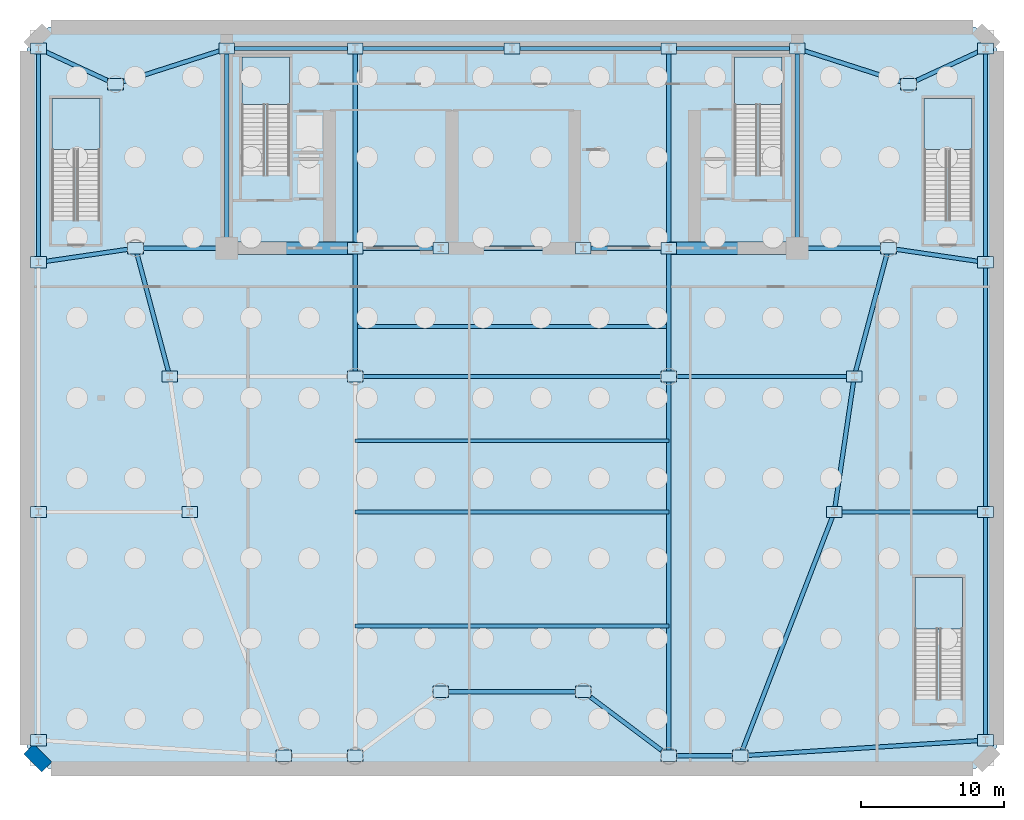
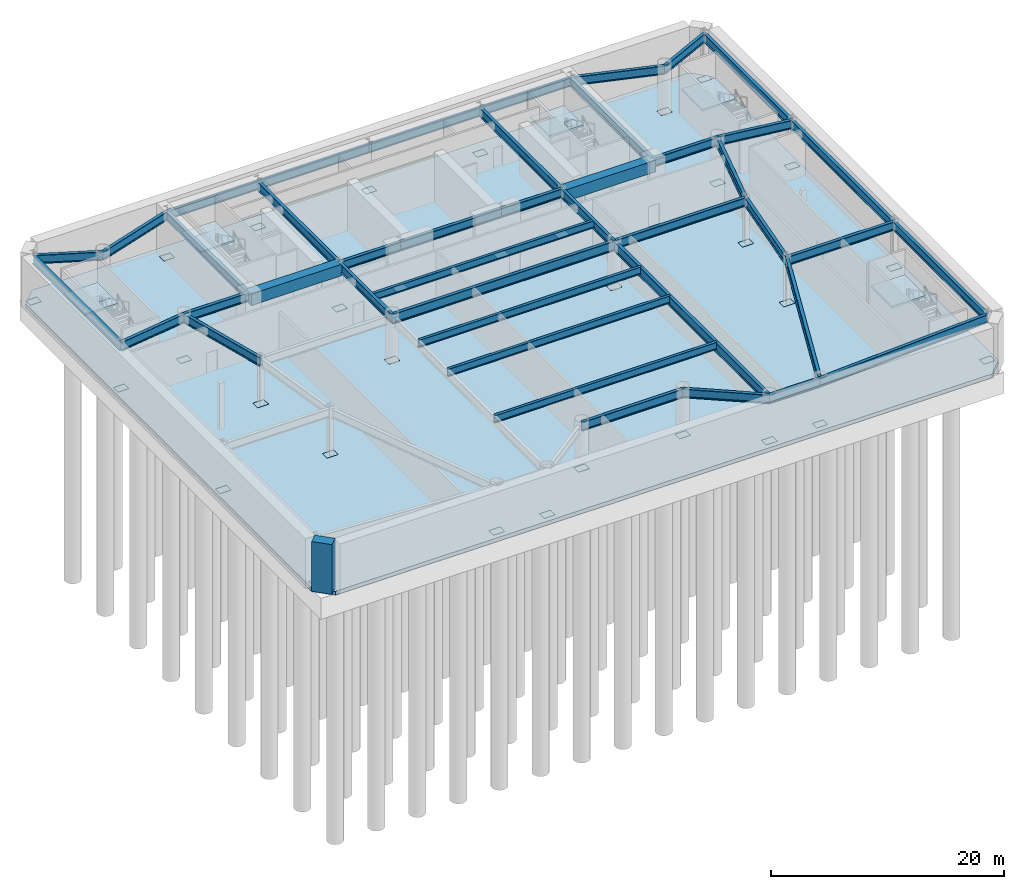
# One storey, part 2 of 11: 43 beams, 33 plates, 6 slabs, 1 wall, 5 elements without a shape of their own.
"""IFC4 building model written with IfcOpenShell, lengths in metres."""

from ifc_helpers import new_model, si_unit, direction, frame, frame_2d, origin, origin_2d, place, context, subcontext, project, spatial, polyline, rectangle, i_section, outline, extrude, source, transform, mapped, material, layer, layer_set, material_profile, profile_set, type_object, element, aggregate, save


model = new_model("IFC4")

# Units and contexts
model_context = context("Model", 3, precision=1e-05, world=origin(), true_north=direction((0.0, 1.0)))
body_context = subcontext(model_context, "Body", "Model", "MODEL_VIEW")
ifc_project = project(units=[si_unit("LENGTHUNIT", "METRE"), si_unit("AREAUNIT", "SQUARE_METRE"), si_unit("VOLUMEUNIT", "CUBIC_METRE"), si_unit("PLANEANGLEUNIT", "RADIAN"), si_unit("MASSUNIT", "GRAM", prefix="KILO")], contexts=[model_context])

# Site, building, storey
site_placement = place(None, origin())
site = spatial("IfcSite", under=ifc_project, at=site_placement, CompositionType="ELEMENT")
building_placement = place(site_placement, origin())
building = spatial("IfcBuilding", under=site, at=building_placement, Name="Vaeldorn Concourse Tower", CompositionType="ELEMENT")
storey_placement = place(building_placement, frame((0.0, 0.0, -15.60009765625)))
storey = spatial("IfcBuildingStorey", under=building, at=storey_placement, Name="B03", CompositionType="ELEMENT", Elevation=-15.60009765625)

# Beams
ifc_material_1 = material(Name="Concrete C60/75", Category="concrete")
ifc_material_profile_1 = material_profile(ifc_material_1, rectangle(XDim=0.89990234375, YDim=1.199951171875, at=origin_2d()), Name="RC 900x1200")
ifc_profile_set_1 = profile_set([ifc_material_profile_1], Name="Concrete C60/75")
beam_type_1 = type_object("IfcBeamType", Name="BM-CB-RC900", PredefinedType="BEAM", material=ifc_profile_set_1)
shared_shape_1 = source(origin(), body_context, "Body", "SweptSolid", [
    extrude(rectangle(XDim=0.89990234375, YDim=1.199951171875, at=origin_2d()), origin(), (0.0, 0.0, 1.0), 9.0),
])
for number, where, z_axis, x_axis, name in (
    (1, (14.0, 36.5, 4.280029296875), (1.0, 0.0, 0.0), (0.0, 1.0, 0.0), "Core Coupling Beam B03-1"),
    (2, (45.0, 36.5, 4.280029296875), (1.0, 0.0, 0.0), (0.0, 1.0, 0.0), "Core Coupling Beam B03-2"),
):
    element("IfcBeam", number, at=place(storey_placement, frame(where, z_axis=z_axis, x_axis=x_axis)), inside=storey, type_object=beam_type_1, Name=name, PredefinedType="BEAM", context=body_context, shape_type="MappedRepresentation", body=[
        mapped(shared_shape_1, transform((0.0, 0.0, 0.0), scale=1.0)),
    ])
ifc_material_2 = material(Name="Steel S355", Category="steel")
ifc_material_profile_2 = material_profile(ifc_material_2, i_section(OverallWidth=0.302001953125, OverallDepth=0.909912109375, WebThickness=0.02099609375, FlangeThickness=0.0400390625, FilletRadius=0.030029296875, at=origin_2d()), Name="HEM 900")
ifc_profile_set_2 = profile_set([ifc_material_profile_2], Name="Steel S355")
beam_type_2 = type_object("IfcBeamType", Name="BM-PG-HEM900", PredefinedType="BEAM", material=ifc_profile_set_2)
shared_shape_2 = source(origin(), body_context, "Body", "SweptSolid", [
    extrude(i_section(OverallWidth=0.302001953125, OverallDepth=0.909912109375, WebThickness=0.02099609375, FlangeThickness=0.0400390625, FilletRadius=0.030029296875, at=origin_2d()), origin(), (0.0, 0.0, 1.0), 6.0),
])
for number, where, z_axis, x_axis, name in (
    (3, (23.0, 36.5, 4.425048828125), (1.0, 0.0, 0.0), (0.0, 1.0, 0.0), "Beam BM-B03-C-FC2-C-FC3"),
    (4, (39.0, 36.5, 4.425048828125), (1.0, 0.0, 0.0), (0.0, 1.0, 0.0), "Beam BM-B03-C-FC4-C-FC5"),
):
    element("IfcBeam", number, at=place(storey_placement, frame(where, z_axis=z_axis, x_axis=x_axis)), inside=storey, type_object=beam_type_2, Name=name, PredefinedType="BEAM", context=body_context, shape_type="MappedRepresentation", body=[
        mapped(shared_shape_2, transform((0.0, 0.0, 0.0), scale=1.0)),
    ])
shared_shape_3 = source(origin(), body_context, "Body", "SweptSolid", [
    extrude(i_section(OverallWidth=0.302001953125, OverallDepth=0.909912109375, WebThickness=0.02099609375, FlangeThickness=0.0400390625, FilletRadius=0.030029296875, at=origin_2d()), origin(), (0.0, 0.0, 1.0), 10.0),
])
for number, where, z_axis, x_axis, name in (
    (5, (29.0, 36.5, 4.425048828125), (1.0, 0.0, 0.0), (0.0, 1.0, 0.0), "Beam BM-B03-C-FC3-C-FC4"),
    (6, (29.0, 5.39990234375, 4.425048828125), (1.0, 0.0, 0.0), (0.0, 1.0, 0.0), "Beam BM-B03-C-SM3-C-SM4"),
):
    element("IfcBeam", number, at=place(storey_placement, frame(where, z_axis=z_axis, x_axis=x_axis)), inside=storey, type_object=beam_type_2, Name=name, PredefinedType="BEAM", context=body_context, shape_type="MappedRepresentation", body=[
        mapped(shared_shape_3, transform((0.0, 0.0, 0.0), scale=1.0)),
    ])
shared_shape_4 = source(origin(), body_context, "Body", "SweptSolid", [
    extrude(i_section(OverallWidth=0.302001953125, OverallDepth=0.909912109375, WebThickness=0.02099609375, FlangeThickness=0.0400390625, FilletRadius=0.030029296875, at=origin_2d()), origin(), (0.0, 0.0, 1.0), 9.0),
])
for number, where, z_axis, x_axis, name in (
    (7, (14.0, 50.5, 4.425048828125), (1.0, 0.0, 0.0), (0.0, 1.0, 0.0), "Beam BM-B03-C-HC1-C-HC2"),
    (8, (45.0, 50.5, 4.425048828125), (1.0, 0.0, 0.0), (0.0, 1.0, 0.0), "Beam BM-B03-C-HC4-C-HC5"),
    (9, (23.0, 27.5, 4.425048828125), (0.0, 1.0, 0.0), (-1.0, 0.0, 0.0), "Beam BM-B03-C-TW1-C-FC2"),
    (10, (45.0, 27.5, 4.425048828125), (0.0, 1.0, 0.0), (-1.0, 0.0, 0.0), "Beam BM-B03-C-TW4-C-FC5"),
):
    element("IfcBeam", number, at=place(storey_placement, frame(where, z_axis=z_axis, x_axis=x_axis)), inside=storey, type_object=beam_type_2, Name=name, PredefinedType="BEAM", context=body_context, shape_type="MappedRepresentation", body=[
        mapped(shared_shape_4, transform((0.0, 0.0, 0.0), scale=1.0)),
    ])
shared_shape_5 = source(origin(), body_context, "Body", "SweptSolid", [
    extrude(i_section(OverallWidth=0.302001953125, OverallDepth=0.909912109375, WebThickness=0.02099609375, FlangeThickness=0.0400390625, FilletRadius=0.030029296875, at=origin_2d()), origin(), (0.0, 0.0, 1.0), 11.0),
])
for number, where, z_axis, x_axis, name in (
    (11, (23.0, 50.5, 4.425048828125), (1.0, 0.0, 0.0), (0.0, 1.0, 0.0), "Beam BM-B03-C-HC2-C-HC3"),
    (12, (34.0, 50.5, 4.425048828125), (1.0, 0.0, 0.0), (0.0, 1.0, 0.0), "Beam BM-B03-C-HC3-C-HC4"),
):
    element("IfcBeam", number, at=place(storey_placement, frame(where, z_axis=z_axis, x_axis=x_axis)), inside=storey, type_object=beam_type_2, Name=name, PredefinedType="BEAM", context=body_context, shape_type="MappedRepresentation", body=[
        mapped(shared_shape_5, transform((0.0, 0.0, 0.0), scale=1.0)),
    ])
shared_shape_6 = source(origin(), body_context, "Body", "SweptSolid", [
    extrude(i_section(OverallWidth=0.302001953125, OverallDepth=0.909912109375, WebThickness=0.02099609375, FlangeThickness=0.0400390625, FilletRadius=0.030029296875, at=origin_2d()), origin(), (0.0, 0.0, 1.0), 14.0),
])
for number, where, z_axis, x_axis, name in (
    (13, (14.0, 36.5, 4.425048828125), (0.0, 1.0, 0.0), (-1.0, 0.0, 0.0), "Beam BM-B03-C-FC1-C-HC1"),
    (14, (23.0, 36.5, 4.425048828125), (0.0, 1.0, 0.0), (-1.0, 0.0, 0.0), "Beam BM-B03-C-FC2-C-HC2"),
    (15, (45.0, 36.5, 4.425048828125), (0.0, 1.0, 0.0), (-1.0, 0.0, 0.0), "Beam BM-B03-C-FC5-C-HC4"),
    (16, (54.0, 36.5, 4.425048828125), (0.0, 1.0, 0.0), (-1.0, 0.0, 0.0), "Beam BM-B03-C-FC6-C-HC5"),
):
    element("IfcBeam", number, at=place(storey_placement, frame(where, z_axis=z_axis, x_axis=x_axis)), inside=storey, type_object=beam_type_2, Name=name, PredefinedType="BEAM", context=body_context, shape_type="MappedRepresentation", body=[
        mapped(shared_shape_6, transform((0.0, 0.0, 0.0), scale=1.0)),
    ])
shared_shape_7 = source(origin(), body_context, "Body", "SweptSolid", [
    extrude(i_section(OverallWidth=0.302001953125, OverallDepth=0.909912109375, WebThickness=0.02099609375, FlangeThickness=0.0400390625, FilletRadius=0.030029296875, at=origin_2d()), origin(), (0.0, 0.0, 1.0), 16.0),
])
beam_1_placement = place(storey_placement, frame((67.199951171875, 2.0, 4.425048828125), z_axis=(0.0, 1.0, 0.0), x_axis=(-1.0, 0.0, 0.0)))
element("IfcBeam", 17, at=beam_1_placement, inside=storey, type_object=beam_type_2, Name="Beam BM-B03-C-PE1-C-PE2", PredefinedType="BEAM", context=body_context, shape_type="MappedRepresentation", body=[
    mapped(shared_shape_7, transform((0.0, 0.0, 0.0), scale=1.0)),
])
shared_shape_8 = source(origin(), body_context, "Body", "SweptSolid", [
    extrude(i_section(OverallWidth=0.302001953125, OverallDepth=0.909912109375, WebThickness=0.02099609375, FlangeThickness=0.0400390625, FilletRadius=0.030029296875, at=origin_2d()), origin(), (0.0, 0.0, 1.0), 17.5),
])
beam_2_placement = place(storey_placement, frame((67.199951171875, 18.0, 4.425048828125), z_axis=(0.0, 1.0, 0.0), x_axis=(-1.0, 0.0, 0.0)))
element("IfcBeam", 18, at=beam_2_placement, inside=storey, type_object=beam_type_2, Name="Beam BM-B03-C-PE2-C-PE3", PredefinedType="BEAM", context=body_context, shape_type="MappedRepresentation", body=[
    mapped(shared_shape_8, transform((0.0, 0.0, 0.0), scale=1.0)),
])
shared_shape_9 = source(origin(), body_context, "Body", "SweptSolid", [
    extrude(i_section(OverallWidth=0.302001953125, OverallDepth=0.909912109375, WebThickness=0.02099609375, FlangeThickness=0.0400390625, FilletRadius=0.030029296875, at=origin_2d()), origin(), (0.0, 0.0, 1.0), 15.0),
])
for number, where, z_axis, x_axis, name in (
    (19, (0.800048828125, 35.5, 4.425048828125), (0.0, 1.0, 0.0), (-1.0, 0.0, 0.0), "Beam BM-B03-C-PW3-C-PW4"),
    (20, (67.199951171875, 35.5, 4.425048828125), (0.0, 1.0, 0.0), (-1.0, 0.0, 0.0), "Beam BM-B03-C-PE3-C-PE4"),
):
    element("IfcBeam", number, at=place(storey_placement, frame(where, z_axis=z_axis, x_axis=x_axis)), inside=storey, type_object=beam_type_2, Name=name, PredefinedType="BEAM", context=body_context, shape_type="MappedRepresentation", body=[
        mapped(shared_shape_9, transform((0.0, 0.0, 0.0), scale=1.0)),
    ])
shared_shape_10 = source(origin(), body_context, "Body", "SweptSolid", [
    extrude(i_section(OverallWidth=0.302001953125, OverallDepth=0.909912109375, WebThickness=0.02099609375, FlangeThickness=0.0400390625, FilletRadius=0.030029296875, at=origin_2d()), origin(), (0.0, 0.0, 1.0), 5.0),
])
beam_3_placement = place(storey_placement, frame((45.0, 0.89990234375, 4.425048828125), z_axis=(1.0, 0.0, 0.0), x_axis=(0.0, 1.0, 0.0)))
element("IfcBeam", 21, at=beam_3_placement, inside=storey, type_object=beam_type_2, Name="Beam BM-B03-C-SM5-C-SM6", PredefinedType="BEAM", context=body_context, shape_type="MappedRepresentation", body=[
    mapped(shared_shape_10, transform((0.0, 0.0, 0.0), scale=1.0)),
])
shared_shape_11 = source(origin(), body_context, "Body", "SweptSolid", [
    extrude(i_section(OverallWidth=0.302001953125, OverallDepth=0.909912109375, WebThickness=0.02099609375, FlangeThickness=0.0400390625, FilletRadius=0.030029296875, at=origin_2d()), origin(), (0.0, 0.0, 1.0), 7.5),
])
beam_4_placement = place(storey_placement, frame((39.0, 5.39990234375, 4.425048828125), z_axis=(0.8, -0.6, 0.0), x_axis=(0.6, 0.8, 0.0)))
element("IfcBeam", 22, at=beam_4_placement, inside=storey, type_object=beam_type_2, Name="Beam BM-B03-C-SM4-C-SM5", PredefinedType="BEAM", context=body_context, shape_type="MappedRepresentation", body=[
    mapped(shared_shape_11, transform((0.0, 0.0, 0.0), scale=1.0)),
])
shared_shape_12 = source(origin(), body_context, "Body", "SweptSolid", [
    extrude(i_section(OverallWidth=0.302001953125, OverallDepth=0.909912109375, WebThickness=0.02099609375, FlangeThickness=0.0400390625, FilletRadius=0.030029296875, at=origin_2d()), origin(), (0.0, 0.0, 1.0), 17.235107421875),
])
beam_5_placement = place(storey_placement, frame((50.0, 0.89990234375, 4.425048828125), z_axis=(0.997960855094, 0.063828925254, 0.0), x_axis=(-0.063828925254, 0.997960855094, 0.0)))
element("IfcBeam", 23, at=beam_5_placement, inside=storey, type_object=beam_type_2, Name="Beam BM-B03-C-SM6-C-PE1", PredefinedType="BEAM", context=body_context, shape_type="MappedRepresentation", body=[
    mapped(shared_shape_12, transform((0.0, 0.0, 0.0), scale=1.0)),
])
shared_shape_13 = source(origin(), body_context, "Body", "SweptSolid", [
    extrude(i_section(OverallWidth=0.302001953125, OverallDepth=0.909912109375, WebThickness=0.02099609375, FlangeThickness=0.0400390625, FilletRadius=0.030029296875, at=origin_2d()), origin(), (0.0, 0.0, 1.0), 6.873291015625),
])
for number, where, z_axis, x_axis, name in (
    (24, (0.800048828125, 35.5, 4.425048828125), (0.989359285749, 0.145492967882, 0.0), (-0.145492967882, 0.989359285749, 0.0), "Beam BM-B03-C-PW3-C-NW2"),
    (25, (60.39990234375, 36.5, 4.425048828125), (0.989359285749, -0.145492967882, 0.0), (0.145492967882, 0.989359285749, 0.0), "Beam BM-B03-C-NE2-C-PE3"),
):
    element("IfcBeam", number, at=place(storey_placement, frame(where, z_axis=z_axis, x_axis=x_axis)), inside=storey, type_object=beam_type_2, Name=name, PredefinedType="BEAM", context=body_context, shape_type="MappedRepresentation", body=[
        mapped(shared_shape_13, transform((0.0, 0.0, 0.0), scale=1.0)),
    ])
shared_shape_14 = source(origin(), body_context, "Body", "SweptSolid", [
    extrude(i_section(OverallWidth=0.302001953125, OverallDepth=0.909912109375, WebThickness=0.02099609375, FlangeThickness=0.0400390625, FilletRadius=0.030029296875, at=origin_2d()), origin(), (0.0, 0.0, 1.0), 6.39990234375),
])
for number, where, z_axis, x_axis, name in (
    (26, (7.60009765625, 36.5, 4.425048828125), (1.0, 0.0, 0.0), (0.0, 1.0, 0.0), "Beam BM-B03-C-NW2-C-FC1"),
    (27, (54.0, 36.5, 4.425048828125), (1.0, 0.0, 0.0), (0.0, 1.0, 0.0), "Beam BM-B03-C-FC6-C-NE2"),
):
    element("IfcBeam", number, at=place(storey_placement, frame(where, z_axis=z_axis, x_axis=x_axis)), inside=storey, type_object=beam_type_2, Name=name, PredefinedType="BEAM", context=body_context, shape_type="MappedRepresentation", body=[
        mapped(shared_shape_14, transform((0.0, 0.0, 0.0), scale=1.0)),
    ])
shared_shape_15 = source(origin(), body_context, "Body", "SweptSolid", [
    extrude(i_section(OverallWidth=0.302001953125, OverallDepth=0.909912109375, WebThickness=0.02099609375, FlangeThickness=0.0400390625, FilletRadius=0.030029296875, at=origin_2d()), origin(), (0.0, 0.0, 1.0), 5.950439453125),
])
for number, where, z_axis, x_axis, name in (
    (28, (0.800048828125, 50.5, 4.425048828125), (0.907464010437, -0.420129824888, 0.0), (0.420129824888, 0.907464010437, 0.0), "Beam BM-B03-C-PW4-C-NW1"),
    (29, (61.800048828125, 48.0, 4.425048828125), (0.907464010437, 0.420129824888, 0.0), (-0.420129824888, 0.907464010437, 0.0), "Beam BM-B03-C-NE1-C-PE4"),
):
    element("IfcBeam", number, at=place(storey_placement, frame(where, z_axis=z_axis, x_axis=x_axis)), inside=storey, type_object=beam_type_2, Name=name, PredefinedType="BEAM", context=body_context, shape_type="MappedRepresentation", body=[
        mapped(shared_shape_15, transform((0.0, 0.0, 0.0), scale=1.0)),
    ])
shared_shape_16 = source(origin(), body_context, "Body", "SweptSolid", [
    extrude(i_section(OverallWidth=0.302001953125, OverallDepth=0.909912109375, WebThickness=0.02099609375, FlangeThickness=0.0400390625, FilletRadius=0.030029296875, at=origin_2d()), origin(), (0.0, 0.0, 1.0), 8.19091796875),
])
for number, where, z_axis, x_axis, name in (
    (30, (6.199951171875, 48.0, 4.425048828125), (0.952282843383, 0.305216949396, 0.0), (-0.305216949396, 0.952282843383, 0.0), "Beam BM-B03-C-NW1-C-HC1"),
    (31, (54.0, 50.5, 4.425048828125), (0.952282843383, -0.305216949396, 0.0), (0.305216949396, 0.952282843383, 0.0), "Beam BM-B03-C-HC5-C-NE1"),
):
    element("IfcBeam", number, at=place(storey_placement, frame(where, z_axis=z_axis, x_axis=x_axis)), inside=storey, type_object=beam_type_2, Name=name, PredefinedType="BEAM", context=body_context, shape_type="MappedRepresentation", body=[
        mapped(shared_shape_16, transform((0.0, 0.0, 0.0), scale=1.0)),
    ])
shared_shape_17 = source(origin(), body_context, "Body", "SweptSolid", [
    extrude(i_section(OverallWidth=0.302001953125, OverallDepth=0.909912109375, WebThickness=0.02099609375, FlangeThickness=0.0400390625, FilletRadius=0.030029296875, at=origin_2d()), origin(), (0.0, 0.0, 1.0), 9.314453125),
])
for number, where, z_axis, x_axis, name in (
    (32, (7.60009765625, 36.5, 4.425048828125), (0.257652862255, -0.966237549763, 0.0), (0.966237549763, 0.257652862255, 0.0), "Beam BM-B03-C-NW2-C-FLW1"),
    (33, (60.39990234375, 36.5, 4.425048828125), (-0.257652862255, -0.966237549763, 0.0), (0.966237549763, -0.257652862255, 0.0), "Beam BM-B03-C-NE2-C-FLE1"),
):
    element("IfcBeam", number, at=place(storey_placement, frame(where, z_axis=z_axis, x_axis=x_axis)), inside=storey, type_object=beam_type_2, Name=name, PredefinedType="BEAM", context=body_context, shape_type="MappedRepresentation", body=[
        mapped(shared_shape_17, transform((0.0, 0.0, 0.0), scale=1.0)),
    ])
shared_shape_18 = source(origin(), body_context, "Body", "SweptSolid", [
    extrude(i_section(OverallWidth=0.302001953125, OverallDepth=0.909912109375, WebThickness=0.02099609375, FlangeThickness=0.0400390625, FilletRadius=0.030029296875, at=origin_2d()), origin(), (0.0, 0.0, 1.0), 9.6025390625),
])
beam_6_placement = place(storey_placement, frame((58.0, 27.5, 4.425048828125), z_axis=(-0.145783835977, -0.989316467652, 0.0), x_axis=(0.989316467652, -0.145783835977, 0.0)))
element("IfcBeam", 34, at=beam_6_placement, inside=storey, type_object=beam_type_2, Name="Beam BM-B03-C-FLE1-C-FLE2", PredefinedType="BEAM", context=body_context, shape_type="MappedRepresentation", body=[
    mapped(shared_shape_18, transform((0.0, 0.0, 0.0), scale=1.0)),
])
shared_shape_19 = source(origin(), body_context, "Body", "SweptSolid", [
    extrude(i_section(OverallWidth=0.302001953125, OverallDepth=0.909912109375, WebThickness=0.02099609375, FlangeThickness=0.0400390625, FilletRadius=0.030029296875, at=origin_2d()), origin(), (0.0, 0.0, 1.0), 18.32958984375),
])
beam_7_placement = place(storey_placement, frame((56.60009765625, 18.0, 4.425048828125), z_axis=(-0.36007844134, -0.932922031084, 0.0), x_axis=(0.932922031084, -0.36007844134, 0.0)))
element("IfcBeam", 35, at=beam_7_placement, inside=storey, type_object=beam_type_2, Name="Beam BM-B03-C-FLE2-C-SM6", PredefinedType="BEAM", context=body_context, shape_type="MappedRepresentation", body=[
    mapped(shared_shape_19, transform((0.0, 0.0, 0.0), scale=1.0)),
])
ifc_material_3 = material(Name="Steel S460", Category="steel")
ifc_material_profile_3 = material_profile(ifc_material_3, i_section(OverallWidth=0.302001953125, OverallDepth=1.008056640625, WebThickness=0.02099609375, FlangeThickness=0.0400390625, FilletRadius=0.030029296875, at=origin_2d()), Name="HEM 1000")
ifc_profile_set_3 = profile_set([ifc_material_profile_3], Name="Steel S460")
beam_type_3 = type_object("IfcBeamType", Name="BM-TG-HEM1000", PredefinedType="BEAM", material=ifc_profile_set_3)
shared_shape_20 = source(origin(), body_context, "Body", "SweptSolid", [
    extrude(i_section(OverallWidth=0.302001953125, OverallDepth=1.008056640625, WebThickness=0.02099609375, FlangeThickness=0.0400390625, FilletRadius=0.030029296875, at=origin_2d()), origin(), (0.0, 0.0, 1.0), 26.60009765625),
])
beam_8_placement = place(storey_placement, frame((45.0, 0.89990234375, 4.3759765625), z_axis=(0.0, 1.0, 0.0), x_axis=(-1.0, 0.0, 0.0)))
element("IfcBeam", 36, at=beam_8_placement, inside=storey, type_object=beam_type_3, Name="Beam BM-B03-C-SM5-C-TW4", PredefinedType="BEAM", context=body_context, shape_type="MappedRepresentation", body=[
    mapped(shared_shape_20, transform((0.0, 0.0, 0.0), scale=1.0)),
])
shared_shape_21 = source(origin(), body_context, "Body", "SweptSolid", [
    extrude(i_section(OverallWidth=0.302001953125, OverallDepth=1.008056640625, WebThickness=0.02099609375, FlangeThickness=0.0400390625, FilletRadius=0.030029296875, at=origin_2d()), origin(), (0.0, 0.0, 1.0), 22.0),
])
beam_9_placement = place(storey_placement, frame((23.0, 27.5, 4.3759765625), z_axis=(1.0, 0.0, 0.0), x_axis=(0.0, 1.0, 0.0)))
element("IfcBeam", 37, at=beam_9_placement, inside=storey, type_object=beam_type_3, Name="Beam BM-B03-C-TW1-C-TW4", PredefinedType="BEAM", context=body_context, shape_type="MappedRepresentation", body=[
    mapped(shared_shape_21, transform((0.0, 0.0, 0.0), scale=1.0)),
])
shared_shape_22 = source(origin(), body_context, "Body", "SweptSolid", [
    extrude(i_section(OverallWidth=0.302001953125, OverallDepth=0.909912109375, WebThickness=0.02099609375, FlangeThickness=0.0400390625, FilletRadius=0.030029296875, at=origin_2d()), origin(), (0.0, 0.0, 1.0), 13.0),
])
beam_10_placement = place(storey_placement, frame((45.0, 27.5, 4.425048828125), z_axis=(1.0, 0.0, 0.0), x_axis=(0.0, 1.0, 0.0)))
element("IfcBeam", 38, at=beam_10_placement, inside=storey, type_object=beam_type_2, Name="Beam BM-B03-C-TW4-C-FLE1", PredefinedType="BEAM", context=body_context, shape_type="MappedRepresentation", body=[
    mapped(shared_shape_22, transform((0.0, 0.0, 0.0), scale=1.0)),
])
shared_shape_23 = source(origin(), body_context, "Body", "SweptSolid", [
    extrude(i_section(OverallWidth=0.302001953125, OverallDepth=0.909912109375, WebThickness=0.02099609375, FlangeThickness=0.0400390625, FilletRadius=0.030029296875, at=origin_2d()), origin(), (0.0, 0.0, 1.0), 10.599853515625),
])
beam_11_placement = place(storey_placement, frame((67.199951171875, 18.0, 4.425048828125), z_axis=(-1.0, 0.0, 0.0), x_axis=(0.0, -1.0, 0.0)))
element("IfcBeam", 39, at=beam_11_placement, inside=storey, type_object=beam_type_2, Name="Beam BM-B03-C-PE2-C-FLE2", PredefinedType="BEAM", context=body_context, shape_type="MappedRepresentation", body=[
    mapped(shared_shape_23, transform((0.0, 0.0, 0.0), scale=1.0)),
])
ifc_material_profile_4 = material_profile(ifc_material_2, i_section(OverallWidth=0.26708984375, OverallDepth=0.761962890625, WebThickness=0.014404296875, FlangeThickness=0.021484375, FilletRadius=0.01708984375, at=origin_2d()), Name="IPE 750x173")
ifc_profile_set_4 = profile_set([ifc_material_profile_4], Name="Steel S355")
beam_type_4 = type_object("IfcBeamType", Name="BM-JS-IPE750", PredefinedType="JOIST", material=ifc_profile_set_4)
shared_shape_24 = source(origin(), body_context, "Body", "SweptSolid", [
    extrude(i_section(OverallWidth=0.26708984375, OverallDepth=0.761962890625, WebThickness=0.014404296875, FlangeThickness=0.021484375, FilletRadius=0.01708984375, at=origin_2d()), origin(), (0.0, 0.0, 1.0), 22.0),
])
for number, where, z_axis, x_axis, name in (
    (40, (23.0, 10.0, 4.4990234375), (1.0, 0.0, 0.0), (0.0, 1.0, 0.0), "Beam JS-B03-C-10"),
    (41, (23.0, 18.0, 4.4990234375), (1.0, 0.0, 0.0), (0.0, 1.0, 0.0), "Beam JS-B03-C-18"),
    (42, (23.0, 23.0, 4.4990234375), (1.0, 0.0, 0.0), (0.0, 1.0, 0.0), "Beam JS-B03-C-23"),
    (43, (23.0, 31.0, 4.4990234375), (1.0, 0.0, 0.0), (0.0, 1.0, 0.0), "Beam JS-B03-C-31"),
):
    element("IfcBeam", number, at=place(storey_placement, frame(where, z_axis=z_axis, x_axis=x_axis)), inside=storey, type_object=beam_type_4, Name=name, PredefinedType="JOIST", context=body_context, shape_type="MappedRepresentation", body=[
        mapped(shared_shape_24, transform((0.0, 0.0, 0.0), scale=1.0)),
    ])

# Slab
ifc_material_4 = material(Name="Concrete C40/50", Category="concrete")
ifc_layer_1 = layer(ifc_material_4, 0.39990234375)
ifc_layer_set_1 = layer_set([ifc_layer_1], Name="Concrete C40/50")
slab_type_1 = type_object("IfcSlabType", Name="SL-BASE-400", PredefinedType="BASESLAB", material=ifc_layer_set_1)
slab_1_placement = place(storey_placement, frame((0.0, 0.0, -0.39990234375)))
element("IfcSlab", 44, at=slab_1_placement, inside=storey, type_object=slab_type_1, Name="Structural Floor Slab B03", PredefinedType="BASESLAB", context=body_context, shape_type="SweptSolid", body=[
    extrude(outline(polyline([(1.5, 0.0), (66.5, 0.0), (68.0, 1.5), (68.0, 50.5), (66.5, 52.0), (1.5, 52.0), (0.0, 50.5), (0.0, 1.5), (1.5, 0.0)])), origin(), (0.0, 0.0, 1.0), 0.39990234375),
])

# Stair, slab
ifc_material_5 = material(Name="Precast concrete C40/50", Category="concrete")
stair_type = type_object("IfcStairType", Name="STR-DOG-34x153", PredefinedType="HALF_TURN_STAIR", material=ifc_material_5)
stair_1_placement = place(storey_placement, origin())
stair_1 = element("IfcStair", 45, at=stair_1_placement, inside=storey, type_object=stair_type, Name="B03 West Core Exit Stair ST-1", PredefinedType="HALF_TURN_STAIR")
ifc_layer_2 = layer(ifc_material_4, 0.199951171875)
ifc_layer_set_2 = layer_set([ifc_layer_2], Name="Concrete C40/50")
slab_type_2 = type_object("IfcSlabType", Name="SL-STAIR-LANDING", PredefinedType="LANDING", material=ifc_layer_set_2)
slab_2_placement = place(storey_placement, frame((0.0, 0.0, 2.400146484375)))
slab_2 = element("IfcSlab", 46, at=slab_2_placement, type_object=slab_type_2, Name="ST-1 landing 1", PredefinedType="LANDING", context=body_context, shape_type="SweptSolid", body=[
    extrude(outline(polyline([(18.39990234375, 46.56005859375), (18.39990234375, 49.89990234375), (15.050048828125, 49.89990234375), (15.050048828125, 46.56005859375), (18.39990234375, 46.56005859375)])), origin(), (0.0, 0.0, 1.0), 0.199951171875),
])
aggregate(stair_1, [slab_2])

stair_2_placement = place(storey_placement, origin())
stair_2 = element("IfcStair", 47, at=stair_2_placement, inside=storey, type_object=stair_type, Name="B03 East Core Exit Stair ST-2", PredefinedType="HALF_TURN_STAIR")
slab_3_placement = place(storey_placement, frame((0.0, 0.0, 2.400146484375)))
slab_3 = element("IfcSlab", 48, at=slab_3_placement, type_object=slab_type_2, Name="ST-2 landing 1", PredefinedType="LANDING", context=body_context, shape_type="SweptSolid", body=[
    extrude(outline(polyline([(52.949951171875, 46.56005859375), (52.949951171875, 49.89990234375), (49.60009765625, 49.89990234375), (49.60009765625, 46.56005859375), (52.949951171875, 46.56005859375)])), origin(), (0.0, 0.0, 1.0), 0.199951171875),
])
aggregate(stair_2, [slab_3])

stair_3_placement = place(storey_placement, origin())
stair_3 = element("IfcStair", 49, at=stair_3_placement, inside=storey, type_object=stair_type, Name="B03 Station West Exit Stair ST-3", PredefinedType="HALF_TURN_STAIR")
slab_4_placement = place(storey_placement, frame((0.0, 0.0, 2.400146484375)))
slab_4 = element("IfcSlab", 50, at=slab_4_placement, type_object=slab_type_2, Name="ST-3 landing 1", PredefinedType="LANDING", context=body_context, shape_type="SweptSolid", body=[
    extrude(outline(polyline([(5.10009765625, 43.409912109375), (5.10009765625, 47.0), (1.75, 47.0), (1.75, 43.409912109375), (5.10009765625, 43.409912109375)])), origin(), (0.0, 0.0, 1.0), 0.199951171875),
])
aggregate(stair_3, [slab_4])

stair_4_placement = place(storey_placement, origin())
stair_4 = element("IfcStair", 51, at=stair_4_placement, inside=storey, type_object=stair_type, Name="B03 Station East Exit Stair ST-4", PredefinedType="HALF_TURN_STAIR")
slab_5_placement = place(storey_placement, frame((0.0, 0.0, 2.400146484375)))
slab_5 = element("IfcSlab", 52, at=slab_5_placement, type_object=slab_type_2, Name="ST-4 landing 1", PredefinedType="LANDING", context=body_context, shape_type="SweptSolid", body=[
    extrude(outline(polyline([(66.25, 43.409912109375), (66.25, 47.0), (62.89990234375, 47.0), (62.89990234375, 43.409912109375), (66.25, 43.409912109375)])), origin(), (0.0, 0.0, 1.0), 0.199951171875),
])
aggregate(stair_4, [slab_5])

stair_5_placement = place(storey_placement, origin())
stair_5 = element("IfcStair", 53, at=stair_5_placement, inside=storey, type_object=stair_type, Name="B03 Podium Auditorium Exit Stair ST-5", PredefinedType="HALF_TURN_STAIR")
slab_6_placement = place(storey_placement, frame((0.0, 0.0, 2.400146484375)))
slab_6 = element("IfcSlab", 54, at=slab_6_placement, type_object=slab_type_2, Name="ST-5 landing 1", PredefinedType="LANDING", context=body_context, shape_type="SweptSolid", body=[
    extrude(outline(polyline([(65.60009765625, 9.81005859375), (65.60009765625, 13.39990234375), (62.25, 13.39990234375), (62.25, 9.81005859375), (65.60009765625, 9.81005859375)])), origin(), (0.0, 0.0, 1.0), 0.199951171875),
])
aggregate(stair_5, [slab_6])

# Plates
ifc_layer_3 = layer(ifc_material_3, 0.06005859375)
ifc_layer_set_3 = layer_set([ifc_layer_3], Name="Steel S460")
plate_type = type_object("IfcPlateType", Name="PL-BASE-BP1", PredefinedType="USERDEFINED", material=ifc_layer_set_3)
shared_shape_25 = source(origin(), body_context, "Body", "SweptSolid", [
    extrude(rectangle(XDim=1.10009765625, YDim=0.800048828125, at=origin_2d()), origin(), (0.0, 0.0, 1.0), 0.06005859375),
])
for number, where, z_axis, x_axis, name in (
    (55, (23.0, 36.5, -0.059814453125), (0.0, 0.0, 1.0), (1.0, 0.0, 0.0), "Column Base Plate C-FC2"),
    (56, (29.0, 36.5, -0.059814453125), (0.0, 0.0, 1.0), (1.0, 0.0, 0.0), "Column Base Plate C-FC3"),
    (57, (39.0, 36.5, -0.059814453125), (0.0, 0.0, 1.0), (1.0, 0.0, 0.0), "Column Base Plate C-FC4"),
    (58, (45.0, 36.5, -0.059814453125), (0.0, 0.0, 1.0), (1.0, 0.0, 0.0), "Column Base Plate C-FC5"),
    (59, (14.0, 50.5, -0.059814453125), (0.0, 0.0, 1.0), (1.0, 0.0, 0.0), "Column Base Plate C-HC1"),
    (60, (23.0, 50.5, -0.059814453125), (0.0, 0.0, 1.0), (1.0, 0.0, 0.0), "Column Base Plate C-HC2"),
    (61, (34.0, 50.5, -0.059814453125), (0.0, 0.0, 1.0), (1.0, 0.0, 0.0), "Column Base Plate C-HC3"),
    (62, (45.0, 50.5, -0.059814453125), (0.0, 0.0, 1.0), (1.0, 0.0, 0.0), "Column Base Plate C-HC4"),
    (63, (54.0, 50.5, -0.059814453125), (0.0, 0.0, 1.0), (1.0, 0.0, 0.0), "Column Base Plate C-HC5"),
    (64, (6.199951171875, 48.0, -0.059814453125), (0.0, 0.0, 1.0), (1.0, 0.0, 0.0), "Column Base Plate C-NW1"),
    (65, (7.60009765625, 36.5, -0.059814453125), (0.0, 0.0, 1.0), (1.0, 0.0, 0.0), "Column Base Plate C-NW2"),
    (66, (61.800048828125, 48.0, -0.059814453125), (0.0, 0.0, 1.0), (1.0, 0.0, 0.0), "Column Base Plate C-NE1"),
    (67, (60.39990234375, 36.5, -0.059814453125), (0.0, 0.0, 1.0), (1.0, 0.0, 0.0), "Column Base Plate C-NE2"),
    (68, (18.0, 0.89990234375, -0.059814453125), (0.0, 0.0, 1.0), (1.0, 0.0, 0.0), "Column Base Plate C-SM1"),
    (69, (23.0, 0.89990234375, -0.059814453125), (0.0, 0.0, 1.0), (1.0, 0.0, 0.0), "Column Base Plate C-SM2"),
    (70, (29.0, 5.39990234375, -0.059814453125), (0.0, 0.0, 1.0), (1.0, 0.0, 0.0), "Column Base Plate C-SM3"),
    (71, (39.0, 5.39990234375, -0.059814453125), (0.0, 0.0, 1.0), (1.0, 0.0, 0.0), "Column Base Plate C-SM4"),
    (72, (45.0, 0.89990234375, -0.059814453125), (0.0, 0.0, 1.0), (1.0, 0.0, 0.0), "Column Base Plate C-SM5"),
    (73, (50.0, 0.89990234375, -0.059814453125), (0.0, 0.0, 1.0), (1.0, 0.0, 0.0), "Column Base Plate C-SM6"),
    (74, (0.800048828125, 2.0, -0.059814453125), (0.0, 0.0, 1.0), (1.0, 0.0, 0.0), "Column Base Plate C-PW1"),
    (75, (0.800048828125, 18.0, -0.059814453125), (0.0, 0.0, 1.0), (1.0, 0.0, 0.0), "Column Base Plate C-PW2"),
    (76, (0.800048828125, 35.5, -0.059814453125), (0.0, 0.0, 1.0), (1.0, 0.0, 0.0), "Column Base Plate C-PW3"),
    (77, (0.800048828125, 50.5, -0.059814453125), (0.0, 0.0, 1.0), (1.0, 0.0, 0.0), "Column Base Plate C-PW4"),
    (78, (67.199951171875, 2.0, -0.059814453125), (0.0, 0.0, 1.0), (1.0, 0.0, 0.0), "Column Base Plate C-PE1"),
    (79, (67.199951171875, 18.0, -0.059814453125), (0.0, 0.0, 1.0), (1.0, 0.0, 0.0), "Column Base Plate C-PE2"),
    (80, (67.199951171875, 35.5, -0.059814453125), (0.0, 0.0, 1.0), (1.0, 0.0, 0.0), "Column Base Plate C-PE3"),
    (81, (67.199951171875, 50.5, -0.059814453125), (0.0, 0.0, 1.0), (1.0, 0.0, 0.0), "Column Base Plate C-PE4"),
    (82, (10.0, 27.5, -0.059814453125), (0.0, 0.0, 1.0), (1.0, 0.0, 0.0), "Column Base Plate C-FLW1"),
    (83, (11.39990234375, 18.0, -0.059814453125), (0.0, 0.0, 1.0), (1.0, 0.0, 0.0), "Column Base Plate C-FLW2"),
    (84, (58.0, 27.5, -0.059814453125), (0.0, 0.0, 1.0), (1.0, 0.0, 0.0), "Column Base Plate C-FLE1"),
    (85, (56.60009765625, 18.0, -0.059814453125), (0.0, 0.0, 1.0), (1.0, 0.0, 0.0), "Column Base Plate C-FLE2"),
    (86, (23.0, 27.5, -0.059814453125), (0.0, 0.0, 1.0), (1.0, 0.0, 0.0), "Column Base Plate C-TW1"),
    (87, (45.0, 27.5, -0.059814453125), (0.0, 0.0, 1.0), (1.0, 0.0, 0.0), "Column Base Plate C-TW4"),
):
    element("IfcPlate", number, at=place(storey_placement, frame(where, z_axis=z_axis, x_axis=x_axis)), inside=storey, type_object=plate_type, Name=name, ObjectType="BASE PLATE", PredefinedType="USERDEFINED", context=body_context, shape_type="MappedRepresentation", body=[
        mapped(shared_shape_25, transform((0.0, 0.0, 0.0), scale=1.0)),
    ])

# Wall
ifc_material_6 = material(Name="Concrete C50/60", Category="concrete")
ifc_layer_4 = layer(ifc_material_6, 1.0)
ifc_layer_set_4 = layer_set([ifc_layer_4], Name="Concrete C50/60")
wall_type = type_object("IfcWallType", Name="WL-DIAPH-1000", PredefinedType="STANDARD", material=ifc_layer_set_4)
wall_placement = place(storey_placement, frame((0.113037109375, 1.386962890625, 0.0), z_axis=(0.0, 0.0, 1.0), x_axis=(0.707106781187, -0.707106781187, 0.0)))
element("IfcWall", 88, at=wall_placement, inside=storey, type_object=wall_type, Name="Substructure Diaphragm Wall B03-08", PredefinedType="STANDARD", context=body_context, shape_type="SweptSolid", body=[
    extrude(rectangle(XDim=1.801513671875, YDim=1.0, at=frame_2d((0.90087890625, 0.0))), origin(), (0.0, 0.0, 1.0), 5.2001953125),
])

save(model, "model.ifc")
